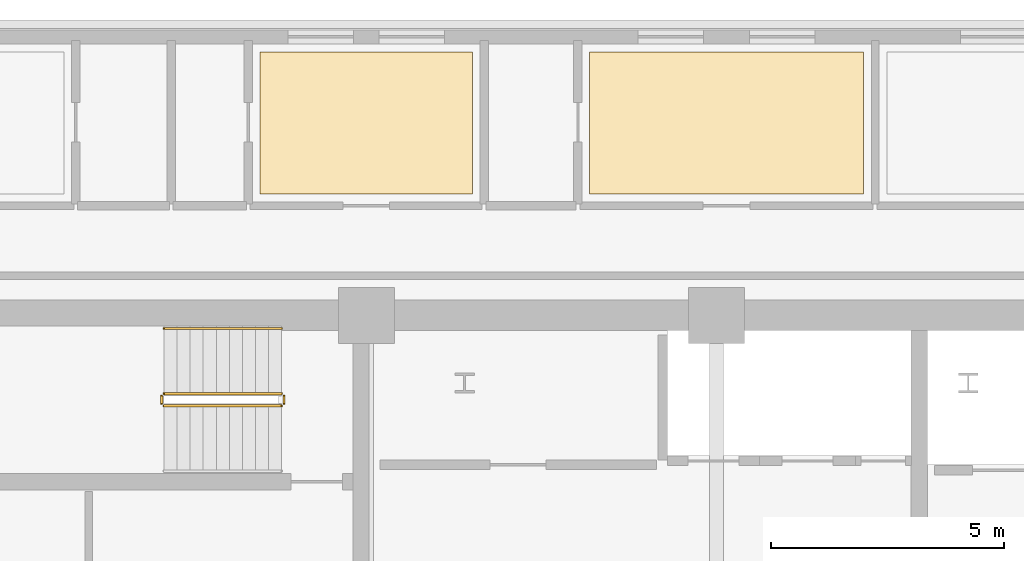
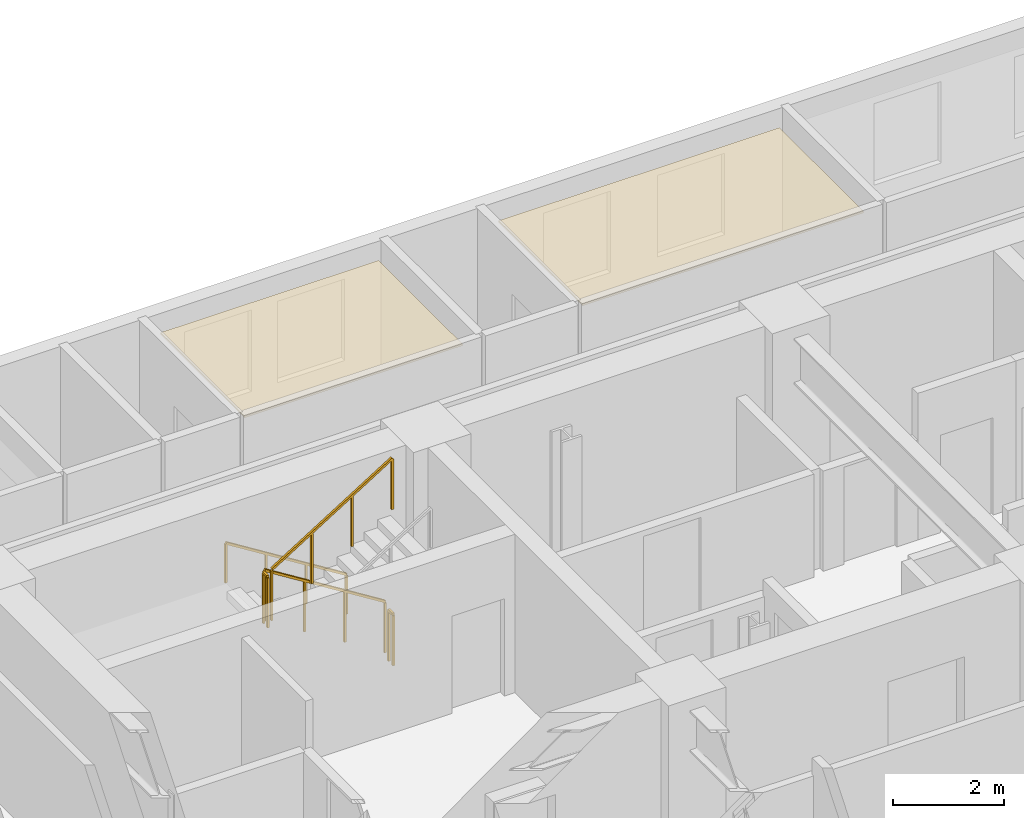
# One storey, part 15 of 16: 5 railings, 2 coverings.
"""IFC4 building model written with IfcOpenShell, lengths in metres."""

from ifc_helpers import new_model, si_unit, direction, frame, origin, origin_2d, place, context, subcontext, project, spatial, polyline, rectangle, outline, extrude, material, layer, layer_set, type_object, element, save


model = new_model("IFC4")

# Units and contexts
model_context = context("Model", 3, precision=1e-05, world=origin(), true_north=direction((0.0, 1.0)))
body_context = subcontext(model_context, "Body", "Model", "MODEL_VIEW")
ifc_project = project(units=[si_unit("LENGTHUNIT", "METRE"), si_unit("AREAUNIT", "SQUARE_METRE"), si_unit("VOLUMEUNIT", "CUBIC_METRE"), si_unit("PLANEANGLEUNIT", "RADIAN"), si_unit("MASSUNIT", "GRAM", prefix="KILO")], contexts=[model_context])

# Site, building, storey
site_placement = place(None, origin())
site = spatial("IfcSite", under=ifc_project, at=site_placement, CompositionType="ELEMENT")
building_placement = place(site_placement, origin())
building = spatial("IfcBuilding", under=site, at=building_placement, Name="Zarnavel Station Tower", CompositionType="ELEMENT")
storey_placement = place(building_placement, frame((0.0, 0.0, 97.800048828125)))
storey = spatial("IfcBuildingStorey", under=building, at=storey_placement, Name="L26", CompositionType="ELEMENT", Elevation=97.800048828125)

# Coverings
ifc_material_1 = material(Name="Perforated Gypsum and Mineral-Wool Acoustic Ceiling", Category="concrete")
ifc_layer = layer(ifc_material_1, 0.0400390625)
ifc_layer_set = layer_set([ifc_layer], Name="COV_CEIL_ACOUSTIC")
covering_type = type_object("IfcCoveringType", Name="COV_CEIL_ACOUSTIC", PredefinedType="CEILING", material=ifc_layer_set)
covering_1_placement = place(storey_placement, frame((0.0, 0.0, 2.919921875)))
element("IfcCovering", 1, at=covering_1_placement, inside=storey, type_object=covering_type, Name="L26 HN2R Acoustic Ceiling", PredefinedType="CEILING", context=body_context, shape_type="SweptSolid", body=[
    extrude(outline(polyline([(19.01611328125, 39.64990234375), (23.570068359375, 39.64990234375), (23.570068359375, 42.68994140625), (19.01611328125, 42.68994140625), (19.01611328125, 39.64990234375)])), origin(), (0.0, 0.0, 1.0), 0.0400390625),
])
covering_2_placement = place(storey_placement, frame((0.0, 0.0, 2.919921875)))
element("IfcCovering", 2, at=covering_2_placement, inside=storey, type_object=covering_type, Name="L26 HN3R Acoustic Ceiling", PredefinedType="CEILING", context=body_context, shape_type="SweptSolid", body=[
    extrude(outline(polyline([(26.0810546875, 39.64990234375), (31.949951171875, 39.64990234375), (31.949951171875, 42.68994140625), (26.0810546875, 42.68994140625), (26.0810546875, 39.64990234375)])), origin(), (0.0, 0.0, 1.0), 0.0400390625),
])

# Railings
ifc_material_2 = material(Name="Painted Steel S355J2 Balustrade", Category="steel")
railing_type_1 = type_object("IfcRailingType", Name="GR_INT_1150", PredefinedType="GUARDRAIL", material=ifc_material_2)
railing_1_placement = place(storey_placement, frame((19.47998046875, 35.3701171875, 0.175048828125)))
element("IfcRailing", 3, at=railing_1_placement, inside=storey, type_object=railing_type_1, Name="L26 ST1 stair guard 1", PredefinedType="GUARDRAIL", context=body_context, shape_type="SweptSolid", body=[
    extrude(rectangle(XDim=0.048095703125, YDim=0.048095703125, at=origin_2d()), frame((-0.001708984375, 0.0, 1.126953125), z_axis=(-0.848007534815, 0.0, 0.529984170421), x_axis=(0.0, -1.0, 0.0)), (0.0, 0.0, 1.0), 2.9677734375),
    extrude(rectangle(XDim=0.0419921875, YDim=0.0419921875, at=origin_2d()), origin(), (0.0, 0.0, 1.0), 1.101806640625),
    extrude(rectangle(XDim=0.0419921875, YDim=0.0419921875, at=origin_2d()), frame((-0.840087890625, 0.0, 0.52490234375)), (0.0, 0.0, 1.0), 1.101806640625),
    extrude(rectangle(XDim=0.0419921875, YDim=0.0419921875, at=origin_2d()), frame((-1.679931640625, 0.0, 1.050048828125)), (0.0, 0.0, 1.0), 1.101806640625),
    extrude(rectangle(XDim=0.0419921875, YDim=0.0419921875, at=origin_2d()), frame((-2.52001953125, 0.0, 1.574951171875)), (0.0, 0.0, 1.0), 1.101806640625),
])
railing_2_placement = place(storey_placement, frame((16.909912109375, 35.320068359375, 1.75)))
element("IfcRailing", 4, at=railing_2_placement, inside=storey, type_object=railing_type_1, Name="L26 ST1 stair guard 2", PredefinedType="GUARDRAIL", context=body_context, shape_type="SweptSolid", body=[
    extrude(rectangle(XDim=0.048095703125, YDim=0.048095703125, at=origin_2d()), frame((0.0, -0.001953125, 1.1259765625), z_axis=(0.0, -1.0, 0.0), x_axis=(1.0, 0.0, 0.0)), (0.0, 0.0, 1.0), 0.15625),
    extrude(rectangle(XDim=0.0419921875, YDim=0.0419921875, at=origin_2d()), origin(), (0.0, 0.0, 1.0), 1.101806640625),
    extrude(rectangle(XDim=0.0419921875, YDim=0.0419921875, at=origin_2d()), frame((0.0, -0.16015625, 0.0)), (0.0, 0.0, 1.0), 1.101806640625),
])
railing_3_placement = place(storey_placement, frame((16.9599609375, 35.110107421875, 1.925048828125)))
element("IfcRailing", 5, at=railing_3_placement, inside=storey, type_object=railing_type_1, Name="L26 ST1 stair guard 3", PredefinedType="GUARDRAIL", context=body_context, shape_type="SweptSolid", body=[
    extrude(rectangle(XDim=0.048095703125, YDim=0.048095703125, at=origin_2d()), frame((0.001708984375, 0.0, 1.126953125), z_axis=(0.848007534815, 0.0, 0.529984170421), x_axis=(0.0, 1.0, 0.0)), (0.0, 0.0, 1.0), 2.9677734375),
    extrude(rectangle(XDim=0.0419921875, YDim=0.0419921875, at=origin_2d()), origin(), (0.0, 0.0, 1.0), 1.101806640625),
    extrude(rectangle(XDim=0.0419921875, YDim=0.0419921875, at=origin_2d()), frame((0.840087890625, 0.0, 0.52490234375)), (0.0, 0.0, 1.0), 1.101806640625),
    extrude(rectangle(XDim=0.0419921875, YDim=0.0419921875, at=origin_2d()), frame((1.679931640625, 0.0, 1.050048828125)), (0.0, 0.0, 1.0), 1.101806640625),
    extrude(rectangle(XDim=0.0419921875, YDim=0.0419921875, at=origin_2d()), frame((2.52001953125, 0.0, 1.574951171875)), (0.0, 0.0, 1.0), 1.101806640625),
])
railing_4_placement = place(storey_placement, frame((19.530029296875, 35.320068359375, 0.0)))
element("IfcRailing", 6, at=railing_4_placement, inside=storey, type_object=railing_type_1, Name="L26 ST1 stair guard 4", PredefinedType="GUARDRAIL", context=body_context, shape_type="SweptSolid", body=[
    extrude(rectangle(XDim=0.048095703125, YDim=0.048095703125, at=origin_2d()), frame((0.0, -0.001953125, 1.1259765625), z_axis=(0.0, -1.0, 0.0), x_axis=(1.0, 0.0, 0.0)), (0.0, 0.0, 1.0), 0.15625),
    extrude(rectangle(XDim=0.0419921875, YDim=0.0419921875, at=origin_2d()), origin(), (0.0, 0.0, 1.0), 1.101806640625),
    extrude(rectangle(XDim=0.0419921875, YDim=0.0419921875, at=origin_2d()), frame((0.0, -0.16015625, 0.0)), (0.0, 0.0, 1.0), 1.101806640625),
])
ifc_material_3 = material(Name="Brushed Stainless Steel S355J2 Handrail", Category="steel")
railing_type_2 = type_object("IfcRailingType", Name="HR_STAIR_900", PredefinedType="HANDRAIL", material=ifc_material_3)
railing_5_placement = place(storey_placement, frame((19.47998046875, 36.77001953125, 0.175048828125)))
element("IfcRailing", 7, at=railing_5_placement, inside=storey, type_object=railing_type_2, Name="L26 ST1 stair handrail 1", PredefinedType="HANDRAIL", context=body_context, shape_type="SweptSolid", body=[
    extrude(rectangle(XDim=0.048095703125, YDim=0.048095703125, at=origin_2d()), frame((-0.001708984375, 0.0, 0.876953125), z_axis=(-0.848007534815, 0.0, 0.529984170421), x_axis=(0.0, -1.0, 0.0)), (0.0, 0.0, 1.0), 2.9677734375),
    extrude(rectangle(XDim=0.0419921875, YDim=0.0419921875, at=origin_2d()), origin(), (0.0, 0.0, 1.0), 0.851806640625),
    extrude(rectangle(XDim=0.0419921875, YDim=0.0419921875, at=origin_2d()), frame((-0.840087890625, 0.0, 0.52490234375)), (0.0, 0.0, 1.0), 0.851806640625),
    extrude(rectangle(XDim=0.0419921875, YDim=0.0419921875, at=origin_2d()), frame((-1.679931640625, 0.0, 1.050048828125)), (0.0, 0.0, 1.0), 0.851806640625),
    extrude(rectangle(XDim=0.0419921875, YDim=0.0419921875, at=origin_2d()), frame((-2.52001953125, 0.0, 1.574951171875)), (0.0, 0.0, 1.0), 0.851806640625),
])

save(model, "model.ifc")
